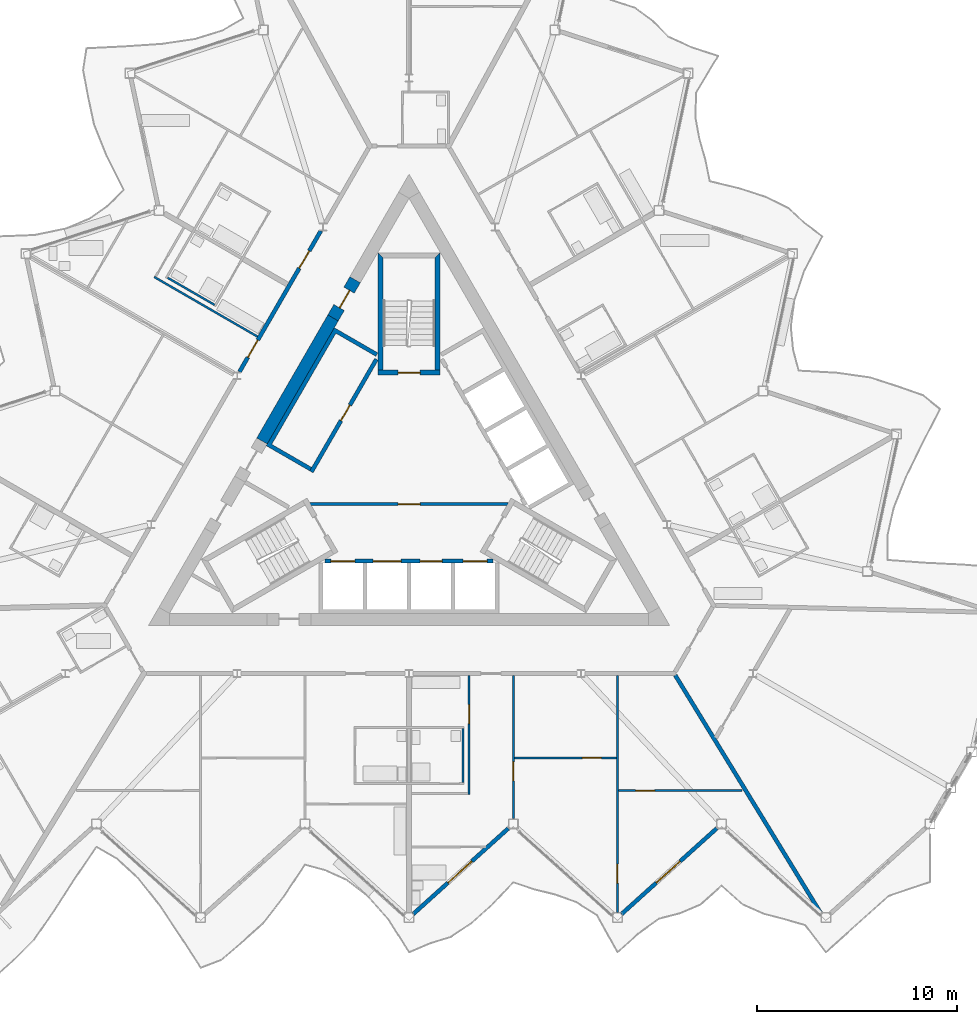
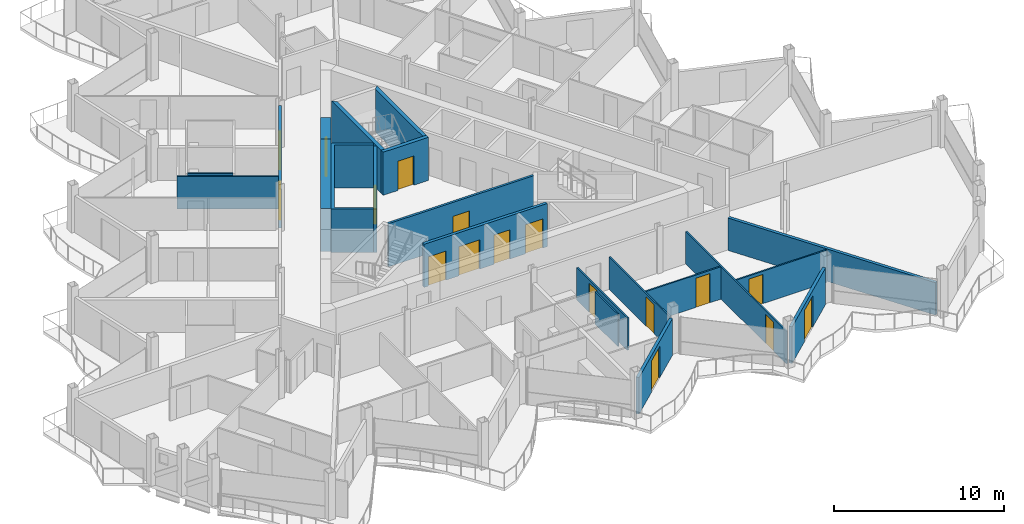
# One storey, part 14 of 26: 21 walls, 17 doors, 17 openings.
"""IFC4 building model written with IfcOpenShell, lengths in metres."""

from ifc_helpers import new_model, si_unit, direction, frame, frame_2d, origin, place, context, subcontext, project, spatial, polyline, rectangle, outline, extrude, material, layer, layer_set, type_object, element, fill, save


model = new_model("IFC4")

# Units and contexts
model_context = context("Model", 3, precision=1e-05, world=origin(), true_north=direction((0.0, 1.0)))
body_context = subcontext(model_context, "Body", "Model", "MODEL_VIEW")
ifc_project = project(units=[si_unit("LENGTHUNIT", "METRE"), si_unit("AREAUNIT", "SQUARE_METRE"), si_unit("VOLUMEUNIT", "CUBIC_METRE"), si_unit("PLANEANGLEUNIT", "RADIAN"), si_unit("MASSUNIT", "GRAM", prefix="KILO")], contexts=[model_context])

# Site, building, storey
site_placement = place(None, origin())
site = spatial("IfcSite", under=ifc_project, at=site_placement, CompositionType="ELEMENT")
building_placement = place(site_placement, origin())
building = spatial("IfcBuilding", under=site, at=building_placement, Name="Cormorant Prow Tower", CompositionType="ELEMENT")
storey_placement = place(building_placement, frame((0.0, 0.0, 398.39990234375)))
storey = spatial("IfcBuildingStorey", under=building, at=storey_placement, Name="L91", CompositionType="ELEMENT", Elevation=398.39990234375)

# Wall, opening, door
ifc_material_1 = material(Name="Gypsum board partition")
ifc_layer_1 = layer(ifc_material_1, 0.14990234375)
ifc_layer_set_1 = layer_set([ifc_layer_1], Name="Gypsum board partition")
wall_type_1 = type_object("IfcWallType", Name="Core partition 150", PredefinedType="PARTITIONING", material=ifc_layer_set_1)
wall_1_placement = place(storey_placement, frame((-4.941162109375, -1.449951171875, 0.0), z_axis=(0.0, 0.0, 1.0), x_axis=(1.0, 0.0, 0.0)))
wall_1 = element("IfcWall", 1, at=wall_1_placement, inside=storey, type_object=wall_type_1, Name="Firefighting lobby partition", PredefinedType="PARTITIONING", context=body_context, shape_type="SweptSolid", body=[
    extrude(rectangle(XDim=9.88232421875, YDim=0.14990234375, at=frame_2d((4.941162109375, 0.0))), origin(), (0.0, 0.0, 1.0), 3.10009765625),
])
opening_1_placement = place(wall_1_placement, frame((4.39111328125, 0.0, 0.0)))
opening_1 = element("IfcOpeningElement", 2, at=opening_1_placement, cuts=wall_1, Name="Opening L91-C10", PredefinedType="OPENING", context=body_context, shape_type="SweptSolid", body=[
    extrude(rectangle(XDim=1.10009765625, YDim=2.10009765625, at=frame_2d((0.550048828125, 1.050048828125))), frame((0.0, 0.0849609375, 0.0), z_axis=(0.0, -1.0, 0.0), x_axis=(1.0, 0.0, 0.0)), (0.0, 0.0, 1.0), 0.169921875),
])
ifc_material_2 = material(Name="Painted steel", Category="steel")
door_type_1 = type_object("IfcDoorType", Name="Firefighting lobby door 1100x2100", OperationType="NOTDEFINED", PredefinedType="DOOR", material=ifc_material_2)
door_1_placement = place(opening_1_placement, origin())
door_1 = element("IfcDoor", 3, at=door_1_placement, inside=storey, type_object=door_type_1, Name="Firefighting lobby door", OperationType="SINGLE_SWING_LEFT", OverallHeight=2.10009765625, OverallWidth=1.10009765625, PredefinedType="DOOR", context=body_context, shape_type="SweptSolid", body=[
    extrude(rectangle(XDim=1.10009765625, YDim=2.10009765625, at=frame_2d((0.550048828125, 1.050048828125))), frame((0.0, 0.02490234375, 0.0), z_axis=(0.0, -1.0, 0.0), x_axis=(1.0, 0.0, 0.0)), (0.0, 0.0, 1.0), 0.050048828125),
])
fill(opening_1, door_1)

# Wall
ifc_material_3 = material(Name="Concrete 8000 psi", Category="concrete")
ifc_layer_2 = layer(ifc_material_3, 0.60009765625)
ifc_layer_set_2 = layer_set([ifc_layer_2], Name="Concrete 8000 psi")
wall_type_2 = type_object("IfcWallType", Name="Core shear wall 600", PredefinedType="SHEAR", material=ifc_layer_set_2)
wall_2_placement = place(storey_placement, frame((-3.794189453125, 7.839599609375, 0.0), z_axis=(0.0, 0.0, 1.0), x_axis=(-0.499974747889, -0.866039982607, 0.0)))
element("IfcWall", 4, at=wall_2_placement, inside=storey, type_object=wall_type_2, Name="Core wall", PredefinedType="SHEAR", context=body_context, shape_type="SweptSolid", body=[
    extrude(rectangle(XDim=7.092041015625, YDim=0.60009765625, at=frame_2d((3.5458984375, 0.0))), origin(), (0.0, 0.0, 1.0), 3.10009765625),
])

# Wall, opening, door
wall_3_placement = place(storey_placement, frame((-2.694091796875, 9.744873046875, 0.0), z_axis=(0.0, 0.0, 1.0), x_axis=(-0.50002983664, -0.866008176907, 0.0)))
wall_3 = element("IfcWall", 5, at=wall_3_placement, inside=storey, type_object=wall_type_2, Name="Core wall door panel", PredefinedType="SHEAR", context=body_context, shape_type="SweptSolid", body=[
    extrude(rectangle(XDim=2.199951171875, YDim=0.60009765625, at=frame_2d((1.10009765625, 0.0))), origin(), (0.0, 0.0, 1.0), 3.10009765625),
])
opening_2_placement = place(wall_3_placement, frame((0.60009765625, 0.0, 0.0)))
opening_2 = element("IfcOpeningElement", 6, at=opening_2_placement, cuts=wall_3, Name="Opening L91-C17", PredefinedType="OPENING", context=body_context, shape_type="SweptSolid", body=[
    extrude(rectangle(XDim=1.0, YDim=2.10009765625, at=frame_2d((0.5, 1.050048828125))), frame((0.0, 0.31005859375, 0.0), z_axis=(0.0, -1.0, 0.0), x_axis=(1.0, 0.0, 0.0)), (0.0, 0.0, 1.0), 0.6201171875),
])
ifc_material_4 = material(Name="Painted steel", Category="steel")
door_type_2 = type_object("IfcDoorType", Name="Service door 1000x2100", OperationType="NOTDEFINED", PredefinedType="DOOR", material=ifc_material_4)
door_2_placement = place(opening_2_placement, origin())
door_2 = element("IfcDoor", 7, at=door_2_placement, inside=storey, type_object=door_type_2, Name="Core door, Refuse store", OperationType="SINGLE_SWING_LEFT", OverallHeight=2.10009765625, OverallWidth=1.0, PredefinedType="DOOR", context=body_context, shape_type="SweptSolid", body=[
    extrude(rectangle(XDim=1.0, YDim=2.10009765625, at=frame_2d((0.5, 1.050048828125))), frame((0.0, 0.05517578125, 0.0), z_axis=(0.0, -1.0, 0.0), x_axis=(1.0, 0.0, 0.0)), (0.0, 0.0, 1.0), 0.050048828125),
])
fill(opening_2, door_2)

# Wall, openings, doors
ifc_material_5 = material(Name="Gypsum board corridor wall")
ifc_layer_3 = layer(ifc_material_5, 0.199951171875)
ifc_layer_set_3 = layer_set([ifc_layer_3], Name="Gypsum board corridor wall")
wall_type_3 = type_object("IfcWallType", Name="Corridor wall 200", PredefinedType="PARTITIONING", material=ifc_layer_set_3)
wall_4_placement = place(storey_placement, frame((-8.464599609375, 5.14990234375, 0.0), z_axis=(0.0, 0.0, 1.0), x_axis=(0.499992155518, 0.866029932751, 0.0)))
wall_4 = element("IfcWall", 8, at=wall_4_placement, inside=storey, type_object=wall_type_3, Name="Corridor wall", PredefinedType="PARTITIONING", context=body_context, shape_type="SweptSolid", body=[
    extrude(rectangle(XDim=8.123291015625, YDim=0.199951171875, at=frame_2d((4.0615234375, 0.0))), origin(), (0.0, 0.0, 1.0), 3.10009765625),
])
opening_3_placement = place(wall_4_placement, frame((5.97021484375, 0.0, 0.0)))
opening_3 = element("IfcOpeningElement", 9, at=opening_3_placement, cuts=wall_4, Name="Opening L91-F39", PredefinedType="OPENING", context=body_context, shape_type="SweptSolid", body=[
    extrude(rectangle(XDim=1.0, YDim=2.10009765625, at=frame_2d((0.5, 1.050048828125))), frame((0.0, 0.10986328125, 0.0), z_axis=(0.0, -1.0, 0.0), x_axis=(1.0, 0.0, 0.0)), (0.0, 0.0, 1.0), 0.219970703125),
])
opening_4_placement = place(wall_4_placement, frame((0.832275390625, 0.0, 0.0)))
opening_4 = element("IfcOpeningElement", 10, at=opening_4_placement, cuts=wall_4, Name="Opening L91-F44", PredefinedType="OPENING", context=body_context, shape_type="SweptSolid", body=[
    extrude(rectangle(XDim=1.0, YDim=2.10009765625, at=frame_2d((0.5, 1.050048828125))), frame((0.0, 0.10986328125, 0.0), z_axis=(0.0, -1.0, 0.0), x_axis=(1.0, 0.0, 0.0)), (0.0, 0.0, 1.0), 0.219970703125),
])
ifc_material_6 = material(Name="Timber door leaf", Category="wood")
door_type_3 = type_object("IfcDoorType", Name="Flat or room entrance door 1000x2100", OperationType="NOTDEFINED", PredefinedType="DOOR", material=ifc_material_6)
door_3_placement = place(opening_3_placement, origin())
door_3 = element("IfcDoor", 11, at=door_3_placement, inside=storey, type_object=door_type_3, Name="Living room door", OperationType="SINGLE_SWING_LEFT", OverallHeight=2.10009765625, OverallWidth=1.0, PredefinedType="DOOR", context=body_context, shape_type="SweptSolid", body=[
    extrude(rectangle(XDim=1.0, YDim=2.10009765625, at=frame_2d((0.5, 1.050048828125))), frame((0.0, 0.02490234375, 0.0), z_axis=(0.0, -1.0, 0.0), x_axis=(1.0, 0.0, 0.0)), (0.0, 0.0, 1.0), 0.050048828125),
])
fill(opening_3, door_3)
door_4_placement = place(opening_4_placement, origin())
door_4 = element("IfcDoor", 12, at=door_4_placement, inside=storey, type_object=door_type_3, Name="Living room door", OperationType="SINGLE_SWING_RIGHT", OverallHeight=2.10009765625, OverallWidth=1.0, PredefinedType="DOOR", context=body_context, shape_type="SweptSolid", body=[
    extrude(rectangle(XDim=1.0, YDim=2.10009765625, at=frame_2d((0.5, 1.050048828125))), frame((0.0, 0.02490234375, 0.0), z_axis=(0.0, -1.0, 0.0), x_axis=(1.0, 0.0, 0.0)), (0.0, 0.0, 1.0), 0.050048828125),
])
fill(opening_4, door_4)

# Wall
ifc_material_7 = material(Name="Gypsum board demising wall")
ifc_layer_4 = layer(ifc_material_7, 0.199951171875)
ifc_layer_set_4 = layer_set([ifc_layer_4], Name="Gypsum board demising wall")
wall_type_4 = type_object("IfcWallType", Name="Demising wall 200", PredefinedType="PARTITIONING", material=ifc_layer_set_4)
wall_5_placement = place(storey_placement, frame((13.282958984375, -9.990966796875, 0.0), z_axis=(0.0, 0.0, 1.0), x_axis=(0.521777294246, -0.853081740052, 0.0)))
element("IfcWall", 13, at=wall_5_placement, inside=storey, type_object=wall_type_4, Name="Demising wall", PredefinedType="PARTITIONING", context=body_context, shape_type="SweptSolid", body=[
    extrude(rectangle(XDim=13.908447265625, YDim=0.199951171875, at=frame_2d((6.9541015625, 0.0))), origin(), (0.0, 0.0, 1.0), 2.330078125),
])

# Wall, opening, door
ifc_material_8 = material(Name="Gypsum board partition")
ifc_layer_5 = layer(ifc_material_8, 0.10009765625)
ifc_layer_set_5 = layer_set([ifc_layer_5], Name="Gypsum board partition")
wall_type_5 = type_object("IfcWallType", Name="Internal partition 100", PredefinedType="PARTITIONING", material=ifc_layer_set_5)
wall_6_placement = place(storey_placement, frame((10.39990234375, -21.827880859375, 0.0), z_axis=(0.0, 0.0, 1.0), x_axis=(0.0, 1.0, 0.0)))
wall_6 = element("IfcWall", 14, at=wall_6_placement, inside=storey, type_object=wall_type_5, Name="Internal partition", PredefinedType="PARTITIONING", context=body_context, shape_type="SweptSolid", body=[
    extrude(rectangle(XDim=11.822265625, YDim=0.10009765625, at=frame_2d((5.9111328125, 0.0))), origin(), (0.0, 0.0, 1.0), 2.330078125),
])
opening_5_placement = place(wall_6_placement, frame((1.45849609375, 0.0, 0.0)))
opening_5 = element("IfcOpeningElement", 15, at=opening_5_placement, cuts=wall_6, Name="Opening L91-F13", PredefinedType="OPENING", context=body_context, shape_type="SweptSolid", body=[
    extrude(rectangle(XDim=0.949951171875, YDim=2.10009765625, at=frame_2d((0.47509765625, 1.050048828125))), frame((0.0, 0.06005859375, 0.0), z_axis=(0.0, -1.0, 0.0), x_axis=(1.0, 0.0, 0.0)), (0.0, 0.0, 1.0), 0.1201171875),
])
ifc_material_9 = material(Name="Timber door leaf", Category="wood")
door_type_4 = type_object("IfcDoorType", Name="Bathroom door 950x2100", OperationType="NOTDEFINED", PredefinedType="DOOR", material=ifc_material_9)
door_5_placement = place(opening_5_placement, origin())
door_5 = element("IfcDoor", 16, at=door_5_placement, inside=storey, type_object=door_type_4, Name="Bedroom door", OperationType="SINGLE_SWING_RIGHT", OverallHeight=2.10009765625, OverallWidth=0.949951171875, PredefinedType="DOOR", context=body_context, shape_type="SweptSolid", body=[
    extrude(rectangle(XDim=0.949951171875, YDim=2.10009765625, at=frame_2d((0.47509765625, 1.050048828125))), frame((0.0, 0.02490234375, 0.0), z_axis=(0.0, -1.0, 0.0), x_axis=(1.0, 0.0, 0.0)), (0.0, 0.0, 1.0), 0.050048828125),
])
fill(opening_5, door_5)

wall_7_placement = place(storey_placement, frame((5.199951171875, -17.145751953125, 0.0), z_axis=(0.0, 0.0, 1.0), x_axis=(0.0, 1.0, 0.0)))
wall_7 = element("IfcWall", 17, at=wall_7_placement, inside=storey, type_object=wall_type_5, Name="Internal partition", PredefinedType="PARTITIONING", context=body_context, shape_type="SweptSolid", body=[
    extrude(rectangle(XDim=7.14013671875, YDim=0.10009765625, at=frame_2d((3.570068359375, 0.0))), origin(), (0.0, 0.0, 1.0), 2.330078125),
])
opening_6_placement = place(wall_7_placement, frame((1.875732421875, 0.0, 0.0)))
opening_6 = element("IfcOpeningElement", 18, at=opening_6_placement, cuts=wall_7, Name="Opening L91-F11", PredefinedType="OPENING", context=body_context, shape_type="SweptSolid", body=[
    extrude(rectangle(XDim=0.949951171875, YDim=2.10009765625, at=frame_2d((0.47509765625, 1.050048828125))), frame((0.0, 0.06005859375, 0.0), z_axis=(0.0, -1.0, 0.0), x_axis=(1.0, 0.0, 0.0)), (0.0, 0.0, 1.0), 0.1201171875),
])
door_6_placement = place(opening_6_placement, origin())
door_6 = element("IfcDoor", 19, at=door_6_placement, inside=storey, type_object=door_type_4, Name="Living room door", OperationType="SINGLE_SWING_RIGHT", OverallHeight=2.10009765625, OverallWidth=0.949951171875, PredefinedType="DOOR", context=body_context, shape_type="SweptSolid", body=[
    extrude(rectangle(XDim=0.949951171875, YDim=2.10009765625, at=frame_2d((0.47509765625, 1.050048828125))), frame((0.0, 0.02490234375, 0.0), z_axis=(0.0, -1.0, 0.0), x_axis=(1.0, 0.0, 0.0)), (0.0, 0.0, 1.0), 0.050048828125),
])
fill(opening_6, door_6)

wall_8_placement = place(storey_placement, frame((10.449951171875, -15.7548828125, 0.0), z_axis=(0.0, 0.0, 1.0), x_axis=(1.0, 0.0, 0.0)))
wall_8 = element("IfcWall", 20, at=wall_8_placement, inside=storey, type_object=wall_type_5, Name="Internal partition", PredefinedType="PARTITIONING", context=body_context, shape_type="SweptSolid", body=[
    extrude(rectangle(XDim=6.157958984375, YDim=0.10009765625, at=frame_2d((3.0791015625, 0.0))), origin(), (0.0, 0.0, 1.0), 2.330078125),
])
opening_7_placement = place(wall_8_placement, frame((0.85107421875, 0.0, 0.0)))
opening_7 = element("IfcOpeningElement", 21, at=opening_7_placement, cuts=wall_8, Name="Opening L91-F14", PredefinedType="OPENING", context=body_context, shape_type="SweptSolid", body=[
    extrude(rectangle(XDim=0.949951171875, YDim=2.10009765625, at=frame_2d((0.47509765625, 1.050048828125))), frame((0.0, 0.06005859375, 0.0), z_axis=(0.0, -1.0, 0.0), x_axis=(1.0, 0.0, 0.0)), (0.0, 0.0, 1.0), 0.1201171875),
])
door_7_placement = place(opening_7_placement, origin())
door_7 = element("IfcDoor", 22, at=door_7_placement, inside=storey, type_object=door_type_4, Name="Bedroom door", OperationType="SINGLE_SWING_LEFT", OverallHeight=2.10009765625, OverallWidth=0.949951171875, PredefinedType="DOOR", context=body_context, shape_type="SweptSolid", body=[
    extrude(rectangle(XDim=0.949951171875, YDim=2.10009765625, at=frame_2d((0.47509765625, 1.050048828125))), frame((0.0, 0.02490234375, 0.0), z_axis=(0.0, -1.0, 0.0), x_axis=(1.0, 0.0, 0.0)), (0.0, 0.0, 1.0), 0.050048828125),
])
fill(opening_7, door_7)

# Wall
wall_9_placement = place(storey_placement, frame((-12.718017578125, 9.883056640625, 0.0), z_axis=(0.0, 0.0, 1.0), x_axis=(0.866017493347, -0.500013701029, 0.0)))
element("IfcWall", 23, at=wall_9_placement, inside=storey, type_object=wall_type_5, Name="Internal partition", PredefinedType="PARTITIONING", context=body_context, shape_type="SweptSolid", body=[
    extrude(rectangle(XDim=5.949951171875, YDim=0.10009765625, at=frame_2d((2.97509765625, 0.0))), origin(), (0.0, 0.0, 1.0), 2.330078125),
])

# Wall, opening, door
wall_10_placement = place(storey_placement, frame((3.0, -15.95556640625, 0.0), z_axis=(0.0, 0.0, 1.0), x_axis=(0.0, 1.0, 0.0)))
wall_10 = element("IfcWall", 24, at=wall_10_placement, inside=storey, type_object=wall_type_5, Name="Internal partition", PredefinedType="PARTITIONING", context=body_context, shape_type="SweptSolid", body=[
    extrude(rectangle(XDim=5.949951171875, YDim=0.10009765625, at=frame_2d((2.97509765625, 0.0))), origin(), (0.0, 0.0, 1.0), 2.330078125),
])
opening_8_placement = place(wall_10_placement, frame((3.550048828125, 0.0, 0.0)))
opening_8 = element("IfcOpeningElement", 25, at=opening_8_placement, cuts=wall_10, Name="Opening L91-F10", PredefinedType="OPENING", context=body_context, shape_type="SweptSolid", body=[
    extrude(rectangle(XDim=0.949951171875, YDim=2.10009765625, at=frame_2d((0.47509765625, 1.050048828125))), frame((0.0, 0.06005859375, 0.0), z_axis=(0.0, -1.0, 0.0), x_axis=(1.0, 0.0, 0.0)), (0.0, 0.0, 1.0), 0.1201171875),
])
door_8_placement = place(opening_8_placement, origin())
door_8 = element("IfcDoor", 26, at=door_8_placement, inside=storey, type_object=door_type_4, Name="Living room door", OperationType="SINGLE_SWING_LEFT", OverallHeight=2.10009765625, OverallWidth=0.949951171875, PredefinedType="DOOR", context=body_context, shape_type="SweptSolid", body=[
    extrude(rectangle(XDim=0.949951171875, YDim=2.10009765625, at=frame_2d((0.47509765625, 1.050048828125))), frame((0.0, 0.02490234375, 0.0), z_axis=(0.0, -1.0, 0.0), x_axis=(1.0, 0.0, 0.0)), (0.0, 0.0, 1.0), 0.050048828125),
])
fill(opening_8, door_8)

wall_11_placement = place(storey_placement, frame((5.25, -14.12060546875, 0.0), z_axis=(0.0, 0.0, 1.0), x_axis=(1.0, 0.0, 0.0)))
wall_11 = element("IfcWall", 27, at=wall_11_placement, inside=storey, type_object=wall_type_5, Name="Internal partition", PredefinedType="PARTITIONING", context=body_context, shape_type="SweptSolid", body=[
    extrude(rectangle(XDim=5.10009765625, YDim=0.10009765625, at=frame_2d((2.550048828125, 0.0))), origin(), (0.0, 0.0, 1.0), 2.330078125),
])
opening_9_placement = place(wall_11_placement, frame((3.39306640625, 0.0, 0.0)))
opening_9 = element("IfcOpeningElement", 28, at=opening_9_placement, cuts=wall_11, Name="Opening L91-F12", PredefinedType="OPENING", context=body_context, shape_type="SweptSolid", body=[
    extrude(rectangle(XDim=0.949951171875, YDim=2.10009765625, at=frame_2d((0.47509765625, 1.050048828125))), frame((0.0, 0.06005859375, 0.0), z_axis=(0.0, -1.0, 0.0), x_axis=(1.0, 0.0, 0.0)), (0.0, 0.0, 1.0), 0.1201171875),
])
door_9_placement = place(opening_9_placement, origin())
door_9 = element("IfcDoor", 29, at=door_9_placement, inside=storey, type_object=door_type_4, Name="Bedroom door", OperationType="SINGLE_SWING_RIGHT", OverallHeight=2.10009765625, OverallWidth=0.949951171875, PredefinedType="DOOR", context=body_context, shape_type="SweptSolid", body=[
    extrude(rectangle(XDim=0.949951171875, YDim=2.10009765625, at=frame_2d((0.47509765625, 1.050048828125))), frame((0.0, 0.02490234375, 0.0), z_axis=(0.0, -1.0, 0.0), x_axis=(1.0, 0.0, 0.0)), (0.0, 0.0, 1.0), 0.050048828125),
])
fill(opening_9, door_9)

# Walls
wall_12_placement = place(storey_placement, frame((-12.04833984375, 9.8427734375, 0.0), z_axis=(0.0, 0.0, 1.0), x_axis=(0.866059108428, -0.4999416173, 0.0)))
element("IfcWall", 30, at=wall_12_placement, inside=storey, type_object=wall_type_5, Name="Internal partition", PredefinedType="PARTITIONING", context=body_context, shape_type="SweptSolid", body=[
    extrude(rectangle(XDim=2.699951171875, YDim=0.10009765625, at=frame_2d((1.35009765625, 0.0))), origin(), (0.0, 0.0, 1.0), 2.330078125),
])
wall_13_placement = place(storey_placement, frame((2.699951171875, -15.355712890625, 0.0), z_axis=(0.0, 0.0, 1.0), x_axis=(0.0, 1.0, 0.0)))
element("IfcWall", 31, at=wall_13_placement, inside=storey, type_object=wall_type_5, Name="Internal partition", PredefinedType="PARTITIONING", context=body_context, shape_type="SweptSolid", body=[
    extrude(rectangle(XDim=2.7001953125, YDim=0.10009765625, at=frame_2d((1.35009765625, 0.0))), origin(), (0.0, 0.0, 1.0), 2.330078125),
])

# Wall, openings, doors
ifc_material_10 = material(Name="Concrete 5000 psi", Category="concrete")
ifc_layer_6 = layer(ifc_material_10, 0.199951171875)
ifc_layer_set_6 = layer_set([ifc_layer_6], Name="Concrete 5000 psi")
wall_type_6 = type_object("IfcWallType", Name="Lift lobby wall 200", PredefinedType="SOLIDWALL", material=ifc_layer_set_6)
wall_14_placement = place(storey_placement, frame((-4.1865234375, -4.300048828125, 0.0), z_axis=(0.0, 0.0, 1.0), x_axis=(1.0, 0.0, 0.0)))
wall_14 = element("IfcWall", 32, at=wall_14_placement, inside=storey, type_object=wall_type_6, Name="Lift lobby wall, S block", PredefinedType="SOLIDWALL", context=body_context, shape_type="SweptSolid", body=[
    extrude(rectangle(XDim=8.373046875, YDim=0.199951171875, at=frame_2d((4.1865234375, 0.0))), origin(), (0.0, 0.0, 1.0), 3.10009765625),
])
opening_10_placement = place(wall_14_placement, frame((0.28662109375, 0.0, 0.0)))
opening_10 = element("IfcOpeningElement", 33, at=opening_10_placement, cuts=wall_14, Name="Opening L91-C01", PredefinedType="OPENING", context=body_context, shape_type="SweptSolid", body=[
    extrude(rectangle(XDim=1.199951171875, YDim=2.10009765625, at=frame_2d((0.60009765625, 1.050048828125))), frame((0.0, 0.10986328125, 0.0), z_axis=(0.0, -1.0, 0.0), x_axis=(1.0, 0.0, 0.0)), (0.0, 0.0, 1.0), 0.219970703125),
])
opening_11_placement = place(wall_14_placement, frame((2.38671875, 0.0, 0.0)))
opening_11 = element("IfcOpeningElement", 34, at=opening_11_placement, cuts=wall_14, Name="Opening L91-C02", PredefinedType="OPENING", context=body_context, shape_type="SweptSolid", body=[
    extrude(rectangle(XDim=1.39990234375, YDim=2.10009765625, at=frame_2d((0.699951171875, 1.050048828125))), frame((0.0, 0.10986328125, 0.0), z_axis=(0.0, -1.0, 0.0), x_axis=(1.0, 0.0, 0.0)), (0.0, 0.0, 1.0), 0.219970703125),
])
opening_12_placement = place(wall_14_placement, frame((4.736572265625, 0.0, 0.0)))
opening_12 = element("IfcOpeningElement", 35, at=opening_12_placement, cuts=wall_14, Name="Opening L91-C03", PredefinedType="OPENING", context=body_context, shape_type="SweptSolid", body=[
    extrude(rectangle(XDim=1.10009765625, YDim=2.10009765625, at=frame_2d((0.550048828125, 1.050048828125))), frame((0.0, 0.10986328125, 0.0), z_axis=(0.0, -1.0, 0.0), x_axis=(1.0, 0.0, 0.0)), (0.0, 0.0, 1.0), 0.219970703125),
])
opening_13_placement = place(wall_14_placement, frame((6.88671875, 0.0, 0.0)))
opening_13 = element("IfcOpeningElement", 36, at=opening_13_placement, cuts=wall_14, Name="Opening L91-C04", PredefinedType="OPENING", context=body_context, shape_type="SweptSolid", body=[
    extrude(rectangle(XDim=1.199951171875, YDim=2.10009765625, at=frame_2d((0.60009765625, 1.050048828125))), frame((0.0, 0.10986328125, 0.0), z_axis=(0.0, -1.0, 0.0), x_axis=(1.0, 0.0, 0.0)), (0.0, 0.0, 1.0), 0.219970703125),
])
ifc_material_11 = material(Name="Painted steel", Category="steel")
door_type_5 = type_object("IfcDoorType", Name="Firefighting lift landing door 1200x2100", OperationType="SLIDING_TO_LEFT", PredefinedType="DOOR", material=ifc_material_11)
door_10_placement = place(opening_10_placement, origin())
door_10 = element("IfcDoor", 37, at=door_10_placement, inside=storey, type_object=door_type_5, Name="Landing door FL1", OperationType="SLIDING_TO_LEFT", OverallHeight=2.10009765625, OverallWidth=1.199951171875, PredefinedType="DOOR", context=body_context, shape_type="SweptSolid", body=[
    extrude(rectangle(XDim=1.199951171875, YDim=2.10009765625, at=frame_2d((0.60009765625, 1.050048828125))), frame((0.0, 0.02490234375, 0.0), z_axis=(0.0, -1.0, 0.0), x_axis=(1.0, 0.0, 0.0)), (0.0, 0.0, 1.0), 0.050048828125),
])
fill(opening_10, door_10)
door_11_placement = place(opening_13_placement, origin())
door_11 = element("IfcDoor", 38, at=door_11_placement, inside=storey, type_object=door_type_5, Name="Landing door FL2", OperationType="SLIDING_TO_LEFT", OverallHeight=2.10009765625, OverallWidth=1.199951171875, PredefinedType="DOOR", context=body_context, shape_type="SweptSolid", body=[
    extrude(rectangle(XDim=1.199951171875, YDim=2.10009765625, at=frame_2d((0.60009765625, 1.050048828125))), frame((0.0, 0.02490234375, 0.0), z_axis=(0.0, -1.0, 0.0), x_axis=(1.0, 0.0, 0.0)), (0.0, 0.0, 1.0), 0.050048828125),
])
fill(opening_13, door_11)
ifc_material_12 = material(Name="Painted steel", Category="steel")
door_type_6 = type_object("IfcDoorType", Name="Lift landing door 1100x2100", OperationType="SLIDING_TO_LEFT", PredefinedType="DOOR", material=ifc_material_12)
door_12_placement = place(opening_12_placement, origin())
door_12 = element("IfcDoor", 39, at=door_12_placement, inside=storey, type_object=door_type_6, Name="Landing door HR1", OperationType="SLIDING_TO_LEFT", OverallHeight=2.10009765625, OverallWidth=1.10009765625, PredefinedType="DOOR", context=body_context, shape_type="SweptSolid", body=[
    extrude(rectangle(XDim=1.10009765625, YDim=2.10009765625, at=frame_2d((0.550048828125, 1.050048828125))), frame((0.0, 0.02490234375, 0.0), z_axis=(0.0, -1.0, 0.0), x_axis=(1.0, 0.0, 0.0)), (0.0, 0.0, 1.0), 0.050048828125),
])
fill(opening_12, door_12)
ifc_material_13 = material(Name="Painted steel", Category="steel")
door_type_7 = type_object("IfcDoorType", Name="Service lift landing door 1400x2100", OperationType="SLIDING_TO_LEFT", PredefinedType="DOOR", material=ifc_material_13)
door_13_placement = place(opening_11_placement, origin())
door_13 = element("IfcDoor", 40, at=door_13_placement, inside=storey, type_object=door_type_7, Name="Landing door SL1", OperationType="SLIDING_TO_LEFT", OverallHeight=2.10009765625, OverallWidth=1.39990234375, PredefinedType="DOOR", context=body_context, shape_type="SweptSolid", body=[
    extrude(rectangle(XDim=1.39990234375, YDim=2.10009765625, at=frame_2d((0.699951171875, 1.050048828125))), frame((0.0, 0.02490234375, 0.0), z_axis=(0.0, -1.0, 0.0), x_axis=(1.0, 0.0, 0.0)), (0.0, 0.0, 1.0), 0.050048828125),
])
fill(opening_11, door_13)

# Wall, opening, door
wall_15_placement = place(storey_placement, frame((-1.630615234375, 5.775634765625, 0.0), z_axis=(0.0, 0.0, 1.0), x_axis=(-0.499992876559, -0.866029516466, 0.0)))
wall_15 = element("IfcWall", 41, at=wall_15_placement, inside=storey, type_object=wall_type_6, Name="Lift lobby wall, WNW block", PredefinedType="SOLIDWALL", context=body_context, shape_type="SweptSolid", body=[
    extrude(rectangle(XDim=6.486328125, YDim=0.199951171875, at=frame_2d((3.2431640625, 0.0))), origin(), (0.0, 0.0, 1.0), 3.10009765625),
])
opening_14_placement = place(wall_15_placement, frame((2.63671875, 0.0, 0.0)))
opening_14 = element("IfcOpeningElement", 42, at=opening_14_placement, cuts=wall_15, Name="Opening L91-C09", PredefinedType="OPENING", context=body_context, shape_type="SweptSolid", body=[
    extrude(rectangle(XDim=0.89990234375, YDim=2.10009765625, at=frame_2d((0.449951171875, 1.050048828125))), frame((0.0, 0.10986328125, 0.0), z_axis=(0.0, -1.0, 0.0), x_axis=(1.0, 0.0, 0.0)), (0.0, 0.0, 1.0), 0.219970703125),
])
ifc_material_14 = material(Name="Painted steel", Category="steel")
door_type_8 = type_object("IfcDoorType", Name="Service door 900x2100", OperationType="NOTDEFINED", PredefinedType="DOOR", material=ifc_material_14)
door_14_placement = place(opening_14_placement, origin())
door_14 = element("IfcDoor", 43, at=door_14_placement, inside=storey, type_object=door_type_8, Name="Service door, Housekeeping store", OperationType="SINGLE_SWING_LEFT", OverallHeight=2.10009765625, OverallWidth=0.89990234375, PredefinedType="DOOR", context=body_context, shape_type="SweptSolid", body=[
    extrude(rectangle(XDim=0.89990234375, YDim=2.10009765625, at=frame_2d((0.449951171875, 1.050048828125))), frame((0.0, 0.02490234375, 0.0), z_axis=(0.0, -1.0, 0.0), x_axis=(1.0, 0.0, 0.0)), (0.0, 0.0, 1.0), 0.050048828125),
])
fill(opening_14, door_14)

# Walls
ifc_material_15 = material(Name="Concrete 8000 psi", Category="concrete")
ifc_layer_7 = layer(ifc_material_15, 0.199951171875)
ifc_layer_set_7 = layer_set([ifc_layer_7], Name="Concrete 8000 psi")
wall_type_7 = type_object("IfcWallType", Name="Lift shaft wall 200", PredefinedType="SHEAR", material=ifc_layer_set_7)
wall_16_placement = place(storey_placement, origin())
element("IfcWall", 44, at=wall_16_placement, inside=storey, type_object=wall_type_7, Name="Lift shaft walls, WNW block", PredefinedType="SHEAR", context=body_context, shape_type="SweptSolid", body=[
    extrude(outline(polyline([(-4.96044921875, 0.2080078125), (-7.130859375, 1.461181640625), (-3.730712890625, 7.35009765625), (-1.560546875, 6.09716796875), (-1.660400390625, 5.923828125), (-3.65234375, 7.073974609375), (-6.852294921875, 1.53125), (-4.860595703125, 0.38134765625), (-4.96044921875, 0.2080078125)])), origin(), (0.0, 0.0, 1.0), 3.10009765625),
])
ifc_material_16 = material(Name="Concrete 8000 psi", Category="concrete")
ifc_layer_8 = layer(ifc_material_16, 0.25)
ifc_layer_set_8 = layer_set([ifc_layer_8], Name="Concrete 8000 psi")
wall_type_8 = type_object("IfcWallType", Name="Stair wall 250", PredefinedType="SHEAR", material=ifc_layer_set_8)
wall_17_placement = place(storey_placement, origin())
element("IfcWall", 45, at=wall_17_placement, inside=storey, type_object=wall_type_8, Name="Stair ST3 enclosure wall (flank)", PredefinedType="SHEAR", context=body_context, shape_type="SweptSolid", body=[
    extrude(outline(polyline([(1.5439453125, 5.23681640625), (1.5439453125, 11.0869140625), (1.2939453125, 10.8369140625), (1.2939453125, 5.23681640625), (1.5439453125, 5.23681640625)])), origin(), (0.0, 0.0, 1.0), 3.10009765625),
])
wall_18_placement = place(storey_placement, origin())
element("IfcWall", 46, at=wall_18_placement, inside=storey, type_object=wall_type_8, Name="Stair ST3 enclosure wall (flank)", PredefinedType="SHEAR", context=body_context, shape_type="SweptSolid", body=[
    extrude(outline(polyline([(-1.2939453125, 10.8369140625), (-1.5439453125, 11.0869140625), (-1.5439453125, 5.23681640625), (-1.2939453125, 5.23681640625), (-1.2939453125, 10.8369140625)])), origin(), (0.0, 0.0, 1.0), 3.10009765625),
])

# Wall, opening, door
wall_19_placement = place(storey_placement, frame((1.5439453125, 5.11181640625, 0.0), z_axis=(0.0, 0.0, 1.0), x_axis=(-1.0, 0.0, 0.0)))
wall_19 = element("IfcWall", 47, at=wall_19_placement, inside=storey, type_object=wall_type_8, Name="Stair ST3 door wall", PredefinedType="SHEAR", context=body_context, shape_type="SweptSolid", body=[
    extrude(rectangle(XDim=3.087890625, YDim=0.25, at=frame_2d((1.5439453125, 0.0))), origin(), (0.0, 0.0, 1.0), 3.10009765625),
])
opening_15_placement = place(wall_19_placement, frame((0.993896484375, 0.0, 0.0)))
opening_15 = element("IfcOpeningElement", 48, at=opening_15_placement, cuts=wall_19, Name="Opening L91-C13", PredefinedType="OPENING", context=body_context, shape_type="SweptSolid", body=[
    extrude(rectangle(XDim=1.10009765625, YDim=2.10009765625, at=frame_2d((0.550048828125, 1.050048828125))), frame((0.0, 0.135009765625, 0.0), z_axis=(0.0, -1.0, 0.0), x_axis=(1.0, 0.0, 0.0)), (0.0, 0.0, 1.0), 0.27001953125),
])
ifc_material_17 = material(Name="Painted steel", Category="steel")
door_type_9 = type_object("IfcDoorType", Name="Stair door 1100x2100", OperationType="NOTDEFINED", PredefinedType="DOOR", material=ifc_material_17)
door_15_placement = place(opening_15_placement, origin())
door_15 = element("IfcDoor", 49, at=door_15_placement, inside=storey, type_object=door_type_9, Name="Stair ST3 door", OperationType="SINGLE_SWING_LEFT", OverallHeight=2.10009765625, OverallWidth=1.10009765625, PredefinedType="DOOR", context=body_context, shape_type="SweptSolid", body=[
    extrude(rectangle(XDim=1.10009765625, YDim=2.10009765625, at=frame_2d((0.550048828125, 1.050048828125))), frame((0.0, 0.02490234375, 0.0), z_axis=(0.0, -1.0, 0.0), x_axis=(1.0, 0.0, 0.0)), (0.0, 0.0, 1.0), 0.050048828125),
])
fill(opening_15, door_15)

ifc_material_18 = material(Name="Terracotta", Category="masonry")
ifc_layer_9 = layer(ifc_material_18, 0.199951171875)
ifc_layer_set_9 = layer_set([ifc_layer_9], Name="Terracotta")
wall_type_9 = type_object("IfcWallType", Name="Terracotta jamb wall 200", PredefinedType="SOLIDWALL", material=ifc_layer_set_9)
wall_20_placement = place(storey_placement, frame((0.205078125, -21.911865234375, 0.0), z_axis=(0.0, 0.0, 1.0), x_axis=(0.743132515916, 0.669144277259, 0.0)))
wall_20 = element("IfcWall", 50, at=wall_20_placement, inside=storey, type_object=wall_type_9, Name="Terracotta jamb wall S05", PredefinedType="SOLIDWALL", context=body_context, shape_type="SweptSolid", body=[
    extrude(rectangle(XDim=6.385009765625, YDim=0.199951171875, at=frame_2d((3.1923828125, 0.0))), origin(), (0.0, 0.0, 1.0), 2.634033203125),
])
opening_16_placement = place(wall_20_placement, frame((2.332763671875, 0.0, 0.0)))
opening_16 = element("IfcOpeningElement", 51, at=opening_16_placement, cuts=wall_20, Name="Opening ED91.03", PredefinedType="OPENING", context=body_context, shape_type="SweptSolid", body=[
    extrude(rectangle(XDim=1.60009765625, YDim=2.25, at=frame_2d((0.800048828125, 1.125))), frame((0.0, 0.10986328125, 0.0), z_axis=(0.0, -1.0, 0.0), x_axis=(1.0, 0.0, 0.0)), (0.0, 0.0, 1.0), 0.219970703125),
])
ifc_material_19 = material(Name="Aluminium 6063-T6", Category="aluminium")
door_type_10 = type_object("IfcDoorType", Name="Balcony door 1600x2250", OperationType="DOUBLE_DOOR_SINGLE_SWING", PredefinedType="DOOR", material=ifc_material_19)
door_16_placement = place(opening_16_placement, origin())
door_16 = element("IfcDoor", 52, at=door_16_placement, inside=storey, type_object=door_type_10, Name="Balcony door S05 ED91.03", OperationType="DOUBLE_DOOR_SINGLE_SWING", OverallHeight=2.25, OverallWidth=1.60009765625, PredefinedType="DOOR", context=body_context, shape_type="SweptSolid", body=[
    extrude(rectangle(XDim=1.60009765625, YDim=2.25, at=frame_2d((0.800048828125, 1.125))), frame((0.0, 0.02490234375, 0.0), z_axis=(0.0, -1.0, 0.0), x_axis=(1.0, 0.0, 0.0)), (0.0, 0.0, 1.0), 0.050048828125),
])
fill(opening_16, door_16)

wall_21_placement = place(storey_placement, frame((10.60498046875, -21.911865234375, 0.0), z_axis=(0.0, 0.0, 1.0), x_axis=(0.743149635876, 0.669125263831, 0.0)))
wall_21 = element("IfcWall", 53, at=wall_21_placement, inside=storey, type_object=wall_type_9, Name="Terracotta jamb wall S07", PredefinedType="SOLIDWALL", context=body_context, shape_type="SweptSolid", body=[
    extrude(rectangle(XDim=6.38525390625, YDim=0.199951171875, at=frame_2d((3.192626953125, 0.0))), origin(), (0.0, 0.0, 1.0), 2.634033203125),
])
opening_17_placement = place(wall_21_placement, frame((2.332763671875, 0.0, 0.0)))
opening_17 = element("IfcOpeningElement", 54, at=opening_17_placement, cuts=wall_21, Name="Opening ED91.04", PredefinedType="OPENING", context=body_context, shape_type="SweptSolid", body=[
    extrude(rectangle(XDim=1.60009765625, YDim=2.25, at=frame_2d((0.800048828125, 1.125))), frame((0.0, 0.10986328125, 0.0), z_axis=(0.0, -1.0, 0.0), x_axis=(1.0, 0.0, 0.0)), (0.0, 0.0, 1.0), 0.219970703125),
])
door_17_placement = place(opening_17_placement, origin())
door_17 = element("IfcDoor", 55, at=door_17_placement, inside=storey, type_object=door_type_10, Name="Balcony door S07 ED91.04", OperationType="DOUBLE_DOOR_SINGLE_SWING", OverallHeight=2.25, OverallWidth=1.60009765625, PredefinedType="DOOR", context=body_context, shape_type="SweptSolid", body=[
    extrude(rectangle(XDim=1.60009765625, YDim=2.25, at=frame_2d((0.800048828125, 1.125))), frame((0.0, 0.02490234375, 0.0), z_axis=(0.0, -1.0, 0.0), x_axis=(1.0, 0.0, 0.0)), (0.0, 0.0, 1.0), 0.050048828125),
])
fill(opening_17, door_17)

save(model, "model.ifc")
